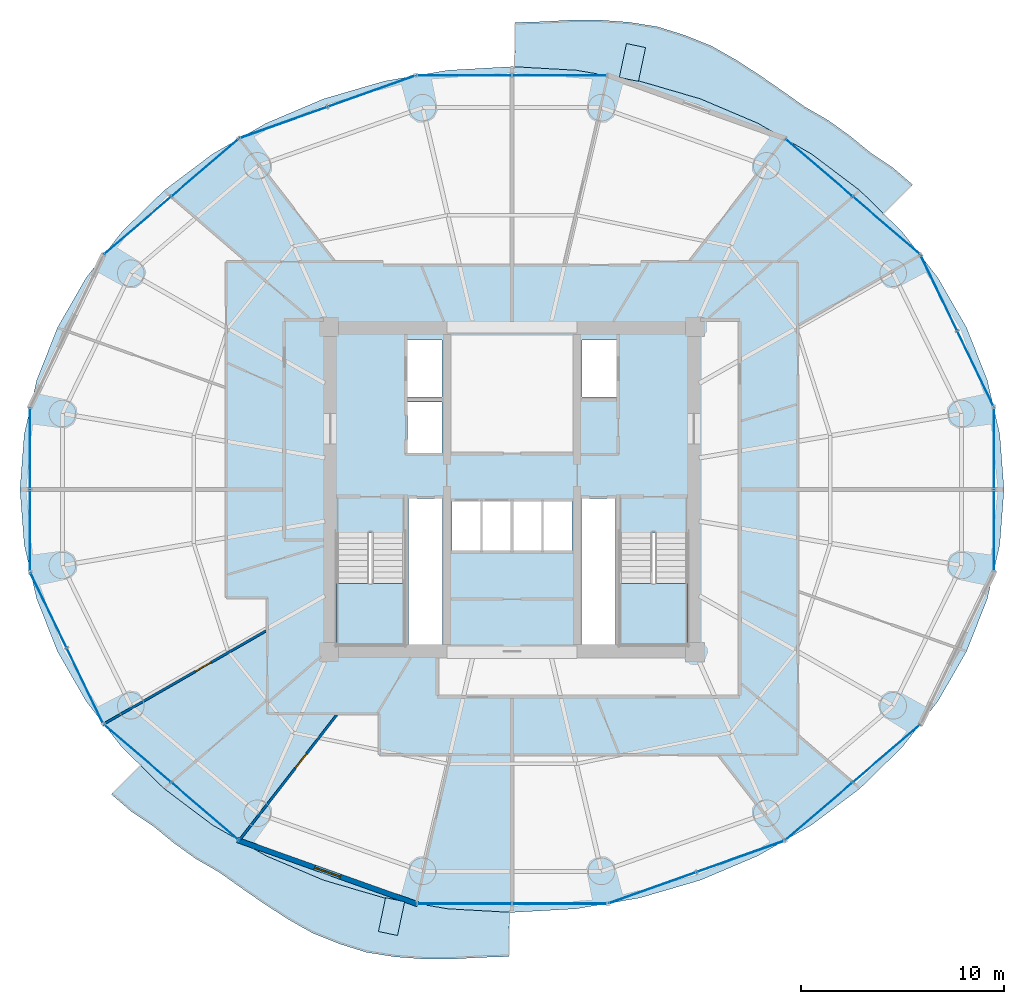
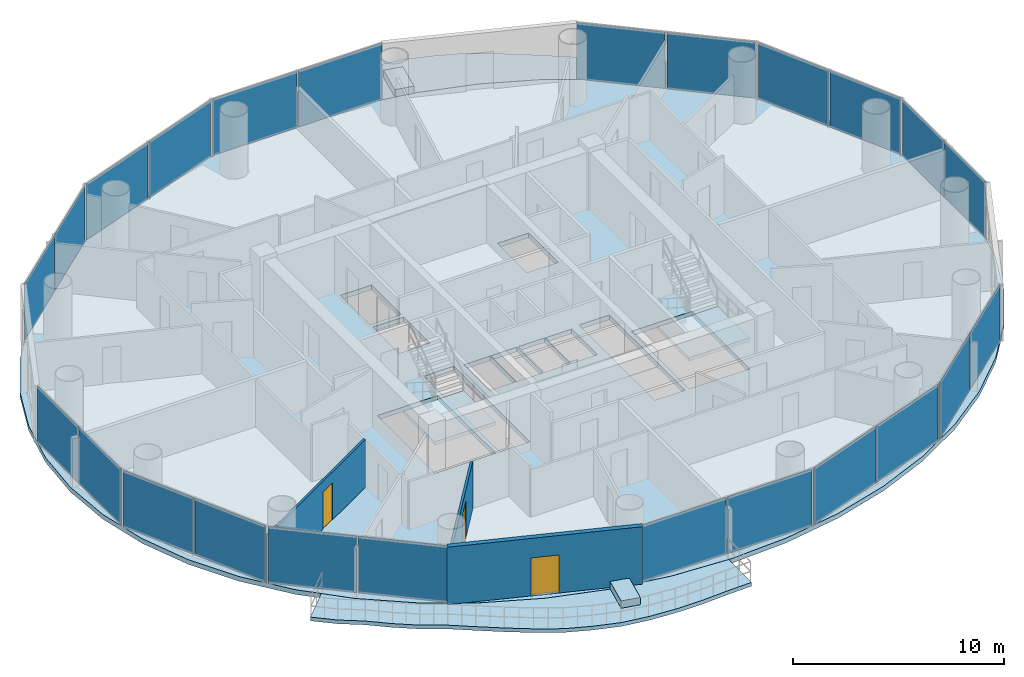
# One storey, part 20 of 27: 24 plates, 7 slabs, 3 doors, 3 walls, 3 openings, 14 elements without a shape of their own.
"""IFC4 building model written with IfcOpenShell, lengths in metres."""

from ifc_helpers import new_model, si_unit, direction, frame, frame_2d, origin, origin_2d, place, context, subcontext, project, spatial, polyline, rectangle, outline, extrude, source, transform, mapped, material, layer, layer_set, type_object, element, fill, aggregate, save


model = new_model("IFC4")

# Units and contexts
model_context = context("Model", 3, precision=1e-05, world=origin(), true_north=direction((-0.2419218956, 0.970295726276)))
body_context = subcontext(model_context, "Body", "Model", "MODEL_VIEW")
ifc_project = project(units=[si_unit("LENGTHUNIT", "METRE"), si_unit("AREAUNIT", "SQUARE_METRE"), si_unit("VOLUMEUNIT", "CUBIC_METRE"), si_unit("PLANEANGLEUNIT", "RADIAN"), si_unit("MASSUNIT", "GRAM", prefix="KILO")], contexts=[model_context])

# Site, building, storey
site_placement = place(None, origin())
site = spatial("IfcSite", under=ifc_project, at=site_placement, CompositionType="ELEMENT")
building_placement = place(site_placement, origin())
building = spatial("IfcBuilding", under=site, at=building_placement, Name="Cobrevalo Terracotta Tower", CompositionType="ELEMENT")
storey_placement = place(building_placement, frame((0.0, 0.0, 164.199951171875)))
storey = spatial("IfcBuildingStorey", under=building, at=storey_placement, Name="L43", CompositionType="ELEMENT", Elevation=164.199951171875)

# Stair, slab
ifc_material_1 = material(Name="Concrete C50", Category="concrete")
stair_type = type_object("IfcStairType", Name="Core protected escape dogleg stair 1600", PredefinedType="HALF_TURN_STAIR", material=ifc_material_1)
stair_1_placement = place(storey_placement, origin())
stair_1 = element("IfcStair", 1, at=stair_1_placement, inside=storey, type_object=stair_type, Name="L43 Protected exit stair ST-1", PredefinedType="HALF_TURN_STAIR")
ifc_layer_1 = layer(ifc_material_1, 0.199951171875)
ifc_layer_set_1 = layer_set([ifc_layer_1], Name="Concrete C50")
slab_type_1 = type_object("IfcSlabType", Name="Reinforced Concrete Stair Landing 200", PredefinedType="LANDING", material=ifc_layer_set_1)
slab_1_placement = place(storey_placement, frame((0.0, 0.0, 1.60009765625)))
slab_1 = element("IfcSlab", 2, at=slab_1_placement, type_object=slab_type_1, Name="ST-1 landing 1", PredefinedType="LANDING", context=body_context, shape_type="SweptSolid", body=[
    extrude(outline(polyline([(29.375, 22.179931640625), (29.375, 19.175048828125), (32.695068359375, 19.175048828125), (32.695068359375, 22.179931640625), (29.375, 22.179931640625)])), origin(), (0.0, 0.0, 1.0), 0.199951171875),
])
aggregate(stair_1, [slab_1])

stair_2_placement = place(storey_placement, origin())
stair_2 = element("IfcStair", 3, at=stair_2_placement, inside=storey, type_object=stair_type, Name="L43 Protected exit stair ST-2", PredefinedType="HALF_TURN_STAIR")
slab_2_placement = place(storey_placement, frame((0.0, 0.0, 1.60009765625)))
slab_2 = element("IfcSlab", 4, at=slab_2_placement, type_object=slab_type_1, Name="ST-2 landing 1", PredefinedType="LANDING", context=body_context, shape_type="SweptSolid", body=[
    extrude(outline(polyline([(43.304931640625, 22.179931640625), (43.304931640625, 19.175048828125), (46.625, 19.175048828125), (46.625, 22.179931640625), (43.304931640625, 22.179931640625)])), origin(), (0.0, 0.0, 1.0), 0.199951171875),
])
aggregate(stair_2, [slab_2])

# Slabs
ifc_material_2 = material(Name="Concrete C45", Category="concrete")
ifc_layer_2 = layer(ifc_material_2, 0.219970703125)
ifc_layer_set_2 = layer_set([ifc_layer_2], Name="Concrete C45")
slab_type_2 = type_object("IfcSlabType", Name="Spiralling cantilevered balcony lobe slab 220 mm", PredefinedType="FLOOR", material=ifc_layer_set_2)
slab_3_placement = place(storey_placement, frame((0.0, 0.0, -0.219970703125)))
element("IfcSlab", 5, at=slab_3_placement, inside=storey, type_object=slab_type_2, Name="L43 spiralling arc balcony slab lobe 1", PredefinedType="FLOOR", context=body_context, shape_type="SweptSolid", body=[
    extrude(outline(polyline([(57.705810546875, 41.789794921875), (56.72314453125, 42.63671875), (55.6337890625, 43.3642578125), (54.620849609375, 44.1943359375), (53.555908203125, 44.958984375), (52.404296875, 45.623291015625), (51.310302734375, 46.39794921875), (50.185791015625, 47.176513671875), (49.01953125, 47.931884765625), (47.802490234375, 48.622314453125), (46.49853515625, 49.144287109375), (45.157958984375, 49.564453125), (43.763916015625, 49.787109375), (42.353271484375, 49.890625), (40.943115234375, 49.894775390625), (39.53515625, 49.814453125), (38.142333984375, 49.773193359375), (38.132080078125, 47.594482421875), (41.158935546875, 47.424072265625), (44.263916015625, 46.893310546875), (47.26171875, 46.0185546875), (50.10107421875, 44.81494140625), (52.733154296875, 43.30322265625), (55.11328125, 41.50927734375), (56.283935546875, 40.362060546875), (57.705810546875, 41.789794921875)])), origin(), (0.0, 0.0, 1.0), 0.219970703125),
])
slab_4_placement = place(storey_placement, frame((0.0, 0.0, -0.219970703125)))
element("IfcSlab", 6, at=slab_4_placement, inside=storey, type_object=slab_type_2, Name="L43 spiralling arc balcony slab lobe 2", PredefinedType="FLOOR", context=body_context, shape_type="SweptSolid", body=[
    extrude(outline(polyline([(18.294189453125, 11.810302734375), (19.27685546875, 10.963134765625), (20.3662109375, 10.235595703125), (21.379150390625, 9.40576171875), (22.444091796875, 8.64111328125), (23.595703125, 7.9765625), (24.689697265625, 7.2021484375), (25.814208984375, 6.423583984375), (26.98046875, 5.66796875), (28.197509765625, 4.977783203125), (29.50146484375, 4.45556640625), (30.842041015625, 4.03564453125), (32.236083984375, 3.81298828125), (33.646728515625, 3.70947265625), (35.056884765625, 3.705078125), (36.46484375, 3.78564453125), (37.857666015625, 3.826904296875), (37.867919921875, 6.00537109375), (34.841064453125, 6.176025390625), (31.736083984375, 6.706787109375), (28.73828125, 7.58154296875), (25.89892578125, 8.784912109375), (23.266845703125, 10.296630859375), (20.88671875, 12.0908203125), (19.716064453125, 13.238037109375), (18.294189453125, 11.810302734375)])), origin(), (0.0, 0.0, 1.0), 0.219970703125),
])
ifc_material_3 = material(Name="Precast concrete C45", Category="concrete")
ifc_layer_3 = layer(ifc_material_3, 0.419921875)
ifc_layer_set_3 = layer_set([ifc_layer_3], Name="Precast concrete C45")
slab_type_3 = type_object("IfcSlabType", Name="Structural tree planter trough base 420 mm", PredefinedType="USERDEFINED", material=ifc_layer_set_3)
slab_5_placement = place(storey_placement, origin())
element("IfcSlab", 7, at=slab_5_placement, inside=storey, type_object=slab_type_3, Name="L43 structural tree planter trough 1", ObjectType="PLANTER", PredefinedType="USERDEFINED", context=body_context, shape_type="SweptSolid", body=[
    extrude(outline(polyline([(44.21923828125, 46.875), (44.5693359375, 48.53857421875), (43.630126953125, 48.736083984375), (43.27978515625, 47.072509765625), (44.21923828125, 46.875)])), origin(), (0.0, 0.0, 1.0), 0.420166015625),
])
slab_6_placement = place(storey_placement, origin())
element("IfcSlab", 8, at=slab_6_placement, inside=storey, type_object=slab_type_3, Name="L43 structural tree planter trough 2", ObjectType="PLANTER", PredefinedType="USERDEFINED", context=body_context, shape_type="SweptSolid", body=[
    extrude(outline(polyline([(31.78076171875, 6.72509765625), (31.4306640625, 5.0615234375), (32.369873046875, 4.86376953125), (32.72021484375, 6.52734375), (31.78076171875, 6.72509765625)])), origin(), (0.0, 0.0, 1.0), 0.420166015625),
])
ifc_layer_4 = layer(ifc_material_1, 0.27001953125)
ifc_layer_set_4 = layer_set([ifc_layer_4], Name="Concrete C50")
slab_type_4 = type_object("IfcSlabType", Name="Zone Z3 elliptical floor plate 270 mm", PredefinedType="FLOOR", material=ifc_layer_set_4)
slab_7_placement = place(storey_placement, frame((0.0, 0.0, -0.27001953125)))
element("IfcSlab", 9, at=slab_7_placement, inside=storey, type_object=slab_type_4, Name="L43 indoor elliptical floor slab", PredefinedType="FLOOR", context=body_context, shape_type="SweptSolid", body=[
    extrude(outline(polyline([(61.992919921875, 24.0849609375), (61.37548828125, 21.41650390625), (60.35791015625, 18.840087890625), (58.957763671875, 16.39990234375), (57.19921875, 14.1376953125), (55.112060546875, 12.09228515625), (52.73193359375, 10.29833984375), (50.10009765625, 8.78662109375), (47.260986328125, 7.583251953125), (44.263427734375, 6.708740234375), (41.15869140625, 6.177978515625), (38.0, 6.0), (34.84130859375, 6.177978515625), (31.736572265625, 6.708740234375), (28.739013671875, 7.583251953125), (25.89990234375, 8.78662109375), (23.26806640625, 10.29833984375), (20.887939453125, 12.09228515625), (18.80078125, 14.1376953125), (17.042236328125, 16.39990234375), (15.64208984375, 18.840087890625), (14.62451171875, 21.41650390625), (14.007080078125, 24.0849609375), (13.800048828125, 26.800048828125), (14.007080078125, 29.514892578125), (14.62451171875, 32.183349609375), (15.64208984375, 34.759765625), (17.042236328125, 37.199951171875), (18.80078125, 39.462158203125), (20.887939453125, 41.5078125), (23.26806640625, 43.3017578125), (25.89990234375, 44.813232421875), (28.739013671875, 46.0166015625), (31.736572265625, 46.891357421875), (34.84130859375, 47.422119140625), (38.0, 47.60009765625), (41.15869140625, 47.422119140625), (44.263427734375, 46.891357421875), (47.260986328125, 46.0166015625), (50.10009765625, 44.813232421875), (52.73193359375, 43.3017578125), (55.112060546875, 41.5078125), (57.19921875, 39.462158203125), (58.957763671875, 37.199951171875), (60.35791015625, 34.759765625), (61.37548828125, 32.183349609375), (61.992919921875, 29.514892578125), (62.199951171875, 26.800048828125), (61.992919921875, 24.0849609375)]), holes=[polyline([(32.695068359375, 19.175048828125), (32.695068359375, 24.659912109375), (29.375, 24.659912109375), (29.375, 19.175048828125), (32.695068359375, 19.175048828125)]), polyline([(34.574951171875, 26.360107421875), (32.919921875, 26.360107421875), (32.919921875, 19.175048828125), (34.574951171875, 19.175048828125), (34.574951171875, 26.360107421875)]), polyline([(36.47998046875, 26.25), (35.050048828125, 26.25), (35.050048828125, 23.800048828125), (36.47998046875, 23.800048828125), (36.47998046875, 26.25)]), polyline([(37.9599609375, 23.800048828125), (37.9599609375, 26.25), (36.530029296875, 26.25), (36.530029296875, 23.800048828125), (37.9599609375, 23.800048828125)]), polyline([(34.550048828125, 28.60009765625), (34.550048828125, 31.10009765625), (32.85009765625, 31.10009765625), (32.85009765625, 28.60009765625), (34.550048828125, 28.60009765625)]), polyline([(34.550048828125, 34.14990234375), (32.85009765625, 34.14990234375), (32.85009765625, 31.35009765625), (34.550048828125, 31.35009765625), (34.550048828125, 34.14990234375)]), polyline([(43.304931640625, 19.175048828125), (46.625, 19.175048828125), (46.625, 24.659912109375), (43.304931640625, 24.659912109375), (43.304931640625, 19.175048828125)]), polyline([(43.080078125, 19.175048828125), (43.080078125, 26.360107421875), (41.425048828125, 26.360107421875), (41.425048828125, 19.175048828125), (43.080078125, 19.175048828125)]), polyline([(39.469970703125, 26.25), (38.0400390625, 26.25), (38.0400390625, 23.800048828125), (39.469970703125, 23.800048828125), (39.469970703125, 26.25)]), polyline([(40.949951171875, 23.800048828125), (40.949951171875, 26.25), (39.52001953125, 26.25), (39.52001953125, 23.800048828125), (40.949951171875, 23.800048828125)]), polyline([(43.14990234375, 31.35009765625), (43.14990234375, 34.14990234375), (41.449951171875, 34.14990234375), (41.449951171875, 31.35009765625), (43.14990234375, 31.35009765625)])]), origin(), (0.0, 0.0, 1.0), 0.27001953125),
])

# Curtain wall, plates
ifc_material_4 = material(Name="Anodized aluminium", Category="aluminium")
curtain_wall_type = type_object("IfcCurtainWallType", Name="Mid-tower high-wind unitised curtain wall CW-U2", PredefinedType="NOTDEFINED", material=ifc_material_4)
curtain_wall_1_placement = place(storey_placement, origin())
curtain_wall_1 = element("IfcCurtainWall", 10, at=curtain_wall_1_placement, inside=storey, type_object=curtain_wall_type, Name="L43 curtain wall CW-L43-S02", PredefinedType="NOTDEFINED")
ifc_material_5 = material(Name="Solar-control low-E double glazing", Category="glass")
ifc_layer_5 = layer(ifc_material_5, 0.028076171875)
ifc_layer_set_5 = layer_set([ifc_layer_5], Name="Solar-control low-E double glazing")
plate_type = type_object("IfcPlateType", Name="Tower solar-control low-E vision glass panel 28 mm", PredefinedType="CURTAIN_PANEL", material=ifc_layer_set_5)
shared_shape_1 = source(origin(), body_context, "Body", "SweptSolid", [
    extrude(rectangle(XDim=4.276123046875, YDim=0.035888671875, at=origin_2d()), origin(), (0.0, 0.0, 1.0), 3.25),
])
plate_1_placement = place(storey_placement, frame((56.414306640625, 39.784912109375, 0.0400390625), z_axis=(0.0, 0.0, 1.0), x_axis=(-0.758436996112, 0.651746363955, 0.0)))
plate_1 = element("IfcPlate", 11, at=plate_1_placement, type_object=plate_type, Name="CW-L43-S02 glazing panel B01", PredefinedType="CURTAIN_PANEL", context=body_context, shape_type="MappedRepresentation", body=[
    mapped(shared_shape_1, transform((0.0, 0.0, 0.0), scale=1.0)),
])
plate_2_placement = place(storey_placement, frame((53.1103515625, 42.6240234375, 0.0400390625), z_axis=(0.0, 0.0, 1.0), x_axis=(-0.758436996112, 0.651746363955, 0.0)))
plate_2 = element("IfcPlate", 12, at=plate_2_placement, type_object=plate_type, Name="CW-L43-S02 glazing panel B02", PredefinedType="CURTAIN_PANEL", context=body_context, shape_type="MappedRepresentation", body=[
    mapped(shared_shape_1, transform((0.0, 0.0, 0.0), scale=1.0)),
])
aggregate(curtain_wall_1, [plate_1, plate_2])

curtain_wall_2_placement = place(storey_placement, origin())
curtain_wall_2 = element("IfcCurtainWall", 13, at=curtain_wall_2_placement, inside=storey, type_object=curtain_wall_type, Name="L43 curtain wall CW-L43-S06", PredefinedType="NOTDEFINED")
plate_3_placement = place(storey_placement, frame((22.8896484375, 42.6240234375, 0.0400390625), z_axis=(0.0, 0.0, 1.0), x_axis=(-0.758436996112, -0.651746363955, 0.0)))
plate_3 = element("IfcPlate", 14, at=plate_3_placement, type_object=plate_type, Name="CW-L43-S06 glazing panel B01", PredefinedType="CURTAIN_PANEL", context=body_context, shape_type="MappedRepresentation", body=[
    mapped(shared_shape_1, transform((0.0, 0.0, 0.0), scale=1.0)),
])
plate_4_placement = place(storey_placement, frame((19.585693359375, 39.784912109375, 0.0400390625), z_axis=(0.0, 0.0, 1.0), x_axis=(-0.758436996112, -0.651746363955, 0.0)))
plate_4 = element("IfcPlate", 15, at=plate_4_placement, type_object=plate_type, Name="CW-L43-S06 glazing panel B02", PredefinedType="CURTAIN_PANEL", context=body_context, shape_type="MappedRepresentation", body=[
    mapped(shared_shape_1, transform((0.0, 0.0, 0.0), scale=1.0)),
])
aggregate(curtain_wall_2, [plate_3, plate_4])

curtain_wall_3_placement = place(storey_placement, origin())
curtain_wall_3 = element("IfcCurtainWall", 16, at=curtain_wall_3_placement, inside=storey, type_object=curtain_wall_type, Name="L43 curtain wall CW-L43-S10", PredefinedType="NOTDEFINED")
plate_5_placement = place(storey_placement, frame((19.585693359375, 13.815185546875, 0.0400390625), z_axis=(0.0, 0.0, 1.0), x_axis=(0.758436996112, -0.651746363955, 0.0)))
plate_5 = element("IfcPlate", 17, at=plate_5_placement, type_object=plate_type, Name="CW-L43-S10 glazing panel B01", PredefinedType="CURTAIN_PANEL", context=body_context, shape_type="MappedRepresentation", body=[
    mapped(shared_shape_1, transform((0.0, 0.0, 0.0), scale=1.0)),
])
plate_6_placement = place(storey_placement, frame((22.8896484375, 10.97607421875, 0.0400390625), z_axis=(0.0, 0.0, 1.0), x_axis=(0.758436996112, -0.651746363955, 0.0)))
plate_6 = element("IfcPlate", 18, at=plate_6_placement, type_object=plate_type, Name="CW-L43-S10 glazing panel B02", PredefinedType="CURTAIN_PANEL", context=body_context, shape_type="MappedRepresentation", body=[
    mapped(shared_shape_1, transform((0.0, 0.0, 0.0), scale=1.0)),
])
aggregate(curtain_wall_3, [plate_5, plate_6])

curtain_wall_4_placement = place(storey_placement, origin())
curtain_wall_4 = element("IfcCurtainWall", 19, at=curtain_wall_4_placement, inside=storey, type_object=curtain_wall_type, Name="L43 curtain wall CW-L43-S14", PredefinedType="NOTDEFINED")
plate_7_placement = place(storey_placement, frame((53.1103515625, 10.97607421875, 0.0400390625), z_axis=(0.0, 0.0, 1.0), x_axis=(0.758436996112, 0.651746363955, 0.0)))
plate_7 = element("IfcPlate", 20, at=plate_7_placement, type_object=plate_type, Name="CW-L43-S14 glazing panel B01", PredefinedType="CURTAIN_PANEL", context=body_context, shape_type="MappedRepresentation", body=[
    mapped(shared_shape_1, transform((0.0, 0.0, 0.0), scale=1.0)),
])
plate_8_placement = place(storey_placement, frame((56.414306640625, 13.815185546875, 0.0400390625), z_axis=(0.0, 0.0, 1.0), x_axis=(0.758436996112, 0.651746363955, 0.0)))
plate_8 = element("IfcPlate", 21, at=plate_8_placement, type_object=plate_type, Name="CW-L43-S14 glazing panel B02", PredefinedType="CURTAIN_PANEL", context=body_context, shape_type="MappedRepresentation", body=[
    mapped(shared_shape_1, transform((0.0, 0.0, 0.0), scale=1.0)),
])
aggregate(curtain_wall_4, [plate_7, plate_8])

curtain_wall_5_placement = place(storey_placement, origin())
curtain_wall_5 = element("IfcCurtainWall", 22, at=curtain_wall_5_placement, inside=storey, type_object=curtain_wall_type, Name="L43 curtain wall CW-L43-S04", PredefinedType="NOTDEFINED")
shared_shape_2 = source(origin(), body_context, "Body", "SweptSolid", [
    extrude(rectangle(XDim=4.59521484375, YDim=0.035888671875, at=origin_2d()), origin(), (0.0, 0.0, 1.0), 3.25),
])
plate_9_placement = place(storey_placement, frame((40.337646484375, 47.1708984375, 0.0400390625), z_axis=(0.0, 0.0, 1.0), x_axis=(-1.0, 0.0, 0.0)))
plate_9 = element("IfcPlate", 23, at=plate_9_placement, type_object=plate_type, Name="CW-L43-S04 glazing panel B01", PredefinedType="CURTAIN_PANEL", context=body_context, shape_type="MappedRepresentation", body=[
    mapped(shared_shape_2, transform((0.0, 0.0, 0.0), scale=1.0)),
])
plate_10_placement = place(storey_placement, frame((35.662353515625, 47.1708984375, 0.0400390625), z_axis=(0.0, 0.0, 1.0), x_axis=(-1.0, 0.0, 0.0)))
plate_10 = element("IfcPlate", 24, at=plate_10_placement, type_object=plate_type, Name="CW-L43-S04 glazing panel B02", PredefinedType="CURTAIN_PANEL", context=body_context, shape_type="MappedRepresentation", body=[
    mapped(shared_shape_2, transform((0.0, 0.0, 0.0), scale=1.0)),
])
aggregate(curtain_wall_5, [plate_9, plate_10])

curtain_wall_6_placement = place(storey_placement, origin())
curtain_wall_6 = element("IfcCurtainWall", 25, at=curtain_wall_6_placement, inside=storey, type_object=curtain_wall_type, Name="L43 curtain wall CW-L43-S12", PredefinedType="NOTDEFINED")
plate_11_placement = place(storey_placement, frame((35.662353515625, 6.42919921875, 0.0400390625), z_axis=(0.0, 0.0, 1.0), x_axis=(1.0, 0.0, 0.0)))
plate_11 = element("IfcPlate", 26, at=plate_11_placement, type_object=plate_type, Name="CW-L43-S12 glazing panel B01", PredefinedType="CURTAIN_PANEL", context=body_context, shape_type="MappedRepresentation", body=[
    mapped(shared_shape_2, transform((0.0, 0.0, 0.0), scale=1.0)),
])
plate_12_placement = place(storey_placement, frame((40.337646484375, 6.42919921875, 0.0400390625), z_axis=(0.0, 0.0, 1.0), x_axis=(1.0, 0.0, 0.0)))
plate_12 = element("IfcPlate", 27, at=plate_12_placement, type_object=plate_type, Name="CW-L43-S12 glazing panel B02", PredefinedType="CURTAIN_PANEL", context=body_context, shape_type="MappedRepresentation", body=[
    mapped(shared_shape_2, transform((0.0, 0.0, 0.0), scale=1.0)),
])
aggregate(curtain_wall_6, [plate_11, plate_12])

curtain_wall_7_placement = place(storey_placement, origin())
curtain_wall_7 = element("IfcCurtainWall", 28, at=curtain_wall_7_placement, inside=storey, type_object=curtain_wall_type, Name="L43 curtain wall CW-L43-S01", PredefinedType="NOTDEFINED")
shared_shape_3 = source(origin(), body_context, "Body", "SweptSolid", [
    extrude(rectangle(XDim=4.035888671875, YDim=0.035888671875, at=origin_2d()), origin(), (0.0, 0.0, 1.0), 3.25),
])
plate_13_placement = place(storey_placement, frame((60.794677734375, 32.741943359375, 0.0400390625), z_axis=(0.0, 0.0, 1.0), x_axis=(-0.434209440271, 0.900811945957, 0.0)))
plate_13 = element("IfcPlate", 29, at=plate_13_placement, type_object=plate_type, Name="CW-L43-S01 glazing panel B01", PredefinedType="CURTAIN_PANEL", context=body_context, shape_type="MappedRepresentation", body=[
    mapped(shared_shape_3, transform((0.0, 0.0, 0.0), scale=1.0)),
])
plate_14_placement = place(storey_placement, frame((59.007568359375, 36.449462890625, 0.0400390625), z_axis=(0.0, 0.0, 1.0), x_axis=(-0.434209440271, 0.900811945957, 0.0)))
plate_14 = element("IfcPlate", 30, at=plate_14_placement, type_object=plate_type, Name="CW-L43-S01 glazing panel B02", PredefinedType="CURTAIN_PANEL", context=body_context, shape_type="MappedRepresentation", body=[
    mapped(shared_shape_3, transform((0.0, 0.0, 0.0), scale=1.0)),
])
aggregate(curtain_wall_7, [plate_13, plate_14])

curtain_wall_8_placement = place(storey_placement, origin())
curtain_wall_8 = element("IfcCurtainWall", 31, at=curtain_wall_8_placement, inside=storey, type_object=curtain_wall_type, Name="L43 curtain wall CW-L43-S09", PredefinedType="NOTDEFINED")
plate_15_placement = place(storey_placement, frame((15.205322265625, 20.858154296875, 0.0400390625), z_axis=(0.0, 0.0, 1.0), x_axis=(0.434209440271, -0.900811945957, 0.0)))
plate_15 = element("IfcPlate", 32, at=plate_15_placement, type_object=plate_type, Name="CW-L43-S09 glazing panel B01", PredefinedType="CURTAIN_PANEL", context=body_context, shape_type="MappedRepresentation", body=[
    mapped(shared_shape_3, transform((0.0, 0.0, 0.0), scale=1.0)),
])
plate_16_placement = place(storey_placement, frame((16.992431640625, 17.150634765625, 0.0400390625), z_axis=(0.0, 0.0, 1.0), x_axis=(0.434209440271, -0.900811945957, 0.0)))
plate_16 = element("IfcPlate", 33, at=plate_16_placement, type_object=plate_type, Name="CW-L43-S09 glazing panel B02", PredefinedType="CURTAIN_PANEL", context=body_context, shape_type="MappedRepresentation", body=[
    mapped(shared_shape_3, transform((0.0, 0.0, 0.0), scale=1.0)),
])
aggregate(curtain_wall_8, [plate_15, plate_16])

curtain_wall_9_placement = place(storey_placement, origin())
curtain_wall_9 = element("IfcCurtainWall", 34, at=curtain_wall_9_placement, inside=storey, type_object=curtain_wall_type, Name="L43 curtain wall CW-L43-S08", PredefinedType="NOTDEFINED")
shared_shape_4 = source(origin(), body_context, "Body", "SweptSolid", [
    extrude(rectangle(XDim=3.931884765625, YDim=0.035888671875, at=origin_2d()), origin(), (0.0, 0.0, 1.0), 3.25),
])
plate_17_placement = place(storey_placement, frame((14.29443359375, 28.805908203125, 0.0400390625), z_axis=(0.0, 0.0, 1.0), x_axis=(0.0, -1.0, 0.0)))
plate_17 = element("IfcPlate", 35, at=plate_17_placement, type_object=plate_type, Name="CW-L43-S08 glazing panel B01", PredefinedType="CURTAIN_PANEL", context=body_context, shape_type="MappedRepresentation", body=[
    mapped(shared_shape_4, transform((0.0, 0.0, 0.0), scale=1.0)),
])
plate_18_placement = place(storey_placement, frame((14.29443359375, 24.7939453125, 0.0400390625), z_axis=(0.0, 0.0, 1.0), x_axis=(0.0, -1.0, 0.0)))
plate_18 = element("IfcPlate", 36, at=plate_18_placement, type_object=plate_type, Name="CW-L43-S08 glazing panel B02", PredefinedType="CURTAIN_PANEL", context=body_context, shape_type="MappedRepresentation", body=[
    mapped(shared_shape_4, transform((0.0, 0.0, 0.0), scale=1.0)),
])
aggregate(curtain_wall_9, [plate_17, plate_18])

curtain_wall_10_placement = place(storey_placement, origin())
curtain_wall_10 = element("IfcCurtainWall", 37, at=curtain_wall_10_placement, inside=storey, type_object=curtain_wall_type, Name="L43 curtain wall CW-L43-S16", PredefinedType="NOTDEFINED")
plate_19_placement = place(storey_placement, frame((61.70556640625, 24.7939453125, 0.0400390625), z_axis=(0.0, 0.0, 1.0), x_axis=(0.0, 1.0, 0.0)))
plate_19 = element("IfcPlate", 38, at=plate_19_placement, type_object=plate_type, Name="CW-L43-S16 glazing panel B01", PredefinedType="CURTAIN_PANEL", context=body_context, shape_type="MappedRepresentation", body=[
    mapped(shared_shape_4, transform((0.0, 0.0, 0.0), scale=1.0)),
])
plate_20_placement = place(storey_placement, frame((61.70556640625, 28.805908203125, 0.0400390625), z_axis=(0.0, 0.0, 1.0), x_axis=(0.0, 1.0, 0.0)))
plate_20 = element("IfcPlate", 39, at=plate_20_placement, type_object=plate_type, Name="CW-L43-S16 glazing panel B02", PredefinedType="CURTAIN_PANEL", context=body_context, shape_type="MappedRepresentation", body=[
    mapped(shared_shape_4, transform((0.0, 0.0, 0.0), scale=1.0)),
])
aggregate(curtain_wall_10, [plate_19, plate_20])

curtain_wall_11_placement = place(storey_placement, origin())
curtain_wall_11 = element("IfcCurtainWall", 40, at=curtain_wall_11_placement, inside=storey, type_object=curtain_wall_type, Name="L43 curtain wall CW-L43-S05", PredefinedType="NOTDEFINED")
shared_shape_5 = source(origin(), body_context, "Body", "SweptSolid", [
    extrude(rectangle(XDim=4.504150390625, YDim=0.035888671875, at=origin_2d()), origin(), (0.0, 0.0, 1.0), 3.25),
])
plate_21_placement = place(storey_placement, frame((31.087646484375, 46.388916015625, 0.0400390625), z_axis=(0.0, 0.0, 1.0), x_axis=(-0.942098428897, -0.335336473217, 0.0)))
plate_21 = element("IfcPlate", 41, at=plate_21_placement, type_object=plate_type, Name="CW-L43-S05 glazing panel B01", PredefinedType="CURTAIN_PANEL", context=body_context, shape_type="MappedRepresentation", body=[
    mapped(shared_shape_5, transform((0.0, 0.0, 0.0), scale=1.0)),
])
plate_22_placement = place(storey_placement, frame((26.768798828125, 44.8515625, 0.0400390625), z_axis=(0.0, 0.0, 1.0), x_axis=(-0.942098428897, -0.335336473217, 0.0)))
plate_22 = element("IfcPlate", 42, at=plate_22_placement, type_object=plate_type, Name="CW-L43-S05 glazing panel B02", PredefinedType="CURTAIN_PANEL", context=body_context, shape_type="MappedRepresentation", body=[
    mapped(shared_shape_5, transform((0.0, 0.0, 0.0), scale=1.0)),
])
aggregate(curtain_wall_11, [plate_21, plate_22])

curtain_wall_12_placement = place(storey_placement, origin())
curtain_wall_12 = element("IfcCurtainWall", 43, at=curtain_wall_12_placement, inside=storey, type_object=curtain_wall_type, Name="L43 curtain wall CW-L43-S13", PredefinedType="NOTDEFINED")
plate_23_placement = place(storey_placement, frame((44.912353515625, 7.211181640625, 0.0400390625), z_axis=(0.0, 0.0, 1.0), x_axis=(0.942098428897, 0.335336473217, 0.0)))
plate_23 = element("IfcPlate", 44, at=plate_23_placement, type_object=plate_type, Name="CW-L43-S13 glazing panel B01", PredefinedType="CURTAIN_PANEL", context=body_context, shape_type="MappedRepresentation", body=[
    mapped(shared_shape_5, transform((0.0, 0.0, 0.0), scale=1.0)),
])
plate_24_placement = place(storey_placement, frame((49.231201171875, 8.748291015625, 0.0400390625), z_axis=(0.0, 0.0, 1.0), x_axis=(0.942098428897, 0.335336473217, 0.0)))
plate_24 = element("IfcPlate", 45, at=plate_24_placement, type_object=plate_type, Name="CW-L43-S13 glazing panel B02", PredefinedType="CURTAIN_PANEL", context=body_context, shape_type="MappedRepresentation", body=[
    mapped(shared_shape_5, transform((0.0, 0.0, 0.0), scale=1.0)),
])
aggregate(curtain_wall_12, [plate_23, plate_24])

# Wall, opening, door
ifc_material_6 = material(Name="Autoclaved aerated concrete block", Category="concrete")
ifc_layer_6 = layer(ifc_material_6, 0.260009765625)
ifc_layer_set_6 = layer_set([ifc_layer_6], Name="Autoclaved aerated concrete block")
wall_type_1 = type_object("IfcWallType", Name="Recessed balcony loggia insulated exterior wall 260 mm", PredefinedType="SOLIDWALL", material=ifc_layer_set_6)
wall_1_placement = place(storey_placement, frame((24.49658203125, 9.55712890625, 0.0), z_axis=(0.0, 0.0, 1.0), x_axis=(0.942103604331, -0.335321932934, 0.0)))
wall_1 = element("IfcWall", 46, at=wall_1_placement, inside=storey, type_object=wall_type_1, Name="L43 balcony loggia wall S11", PredefinedType="SOLIDWALL", context=body_context, shape_type="SweptSolid", body=[
    extrude(rectangle(XDim=9.408203125, YDim=0.260009765625, at=frame_2d((4.7041015625, 0.0))), origin(), (0.0, 0.0, 1.0), 3.330078125),
])
opening_1_placement = place(wall_1_placement, frame((4.029052734375, 0.0, 0.0)))
opening_1 = element("IfcOpeningElement", 47, at=opening_1_placement, cuts=wall_1, Name="Opening ED-05", PredefinedType="OPENING", context=body_context, shape_type="SweptSolid", body=[
    extrude(rectangle(XDim=1.35009765625, YDim=2.199951171875, at=frame_2d((0.675048828125, 1.10009765625))), frame((0.0, 0.14013671875, 0.0), z_axis=(0.0, -1.0, 0.0), x_axis=(1.0, 0.0, 0.0)), (0.0, 0.0, 1.0), 0.280029296875),
])
ifc_material_7 = material(Name="Anodized aluminium and laminated glass", Category="aluminium")
door_type_1 = type_object("IfcDoorType", Name="Suite balcony acoustic glazed terrace door 1350x2200", OperationType="NOTDEFINED", PredefinedType="DOOR", material=ifc_material_7)
shared_shape_6 = source(origin(), body_context, "Body", "SweptSolid", [
    extrude(rectangle(XDim=1.35009765625, YDim=2.199951171875, at=frame_2d((0.675048828125, 1.10009765625))), frame((0.0, 0.02490234375, 0.0), z_axis=(0.0, -1.0, 0.0), x_axis=(1.0, 0.0, 0.0)), (0.0, 0.0, 1.0), 0.050048828125),
])
door_1_placement = place(opening_1_placement, frame((1.35009765625, 0.0, 0.0), z_axis=(0.0, 0.0, 1.0), x_axis=(-1.0, 0.0, 0.0)))
door_1 = element("IfcDoor", 48, at=door_1_placement, inside=storey, type_object=door_type_1, Name="L43 glazed balcony terrace door 2", OperationType="SINGLE_SWING_RIGHT", OverallHeight=2.199951171875, OverallWidth=1.35009765625, PredefinedType="DOOR", context=body_context, shape_type="MappedRepresentation", body=[
    mapped(shared_shape_6, transform((0.0, 0.0, 0.0), scale=1.0)),
])
fill(opening_1, door_1)

ifc_material_8 = material(Name="Gypsum board on steel stud", Category="steel")
ifc_layer_7 = layer(ifc_material_8, 0.1201171875)
ifc_layer_set_7 = layer_set([ifc_layer_7], Name="Gypsum board on steel stud")
wall_type_2 = type_object("IfcWallType", Name="Residential internal acoustic stud partition 120 mm", PredefinedType="PARTITIONING", material=ifc_layer_set_7)
wall_2_placement = place(storey_placement, frame((25.9111328125, 19.857421875, 0.0), z_axis=(0.0, 0.0, 1.0), x_axis=(-0.867160939672, -0.498028015986, 0.0)))
wall_2 = element("IfcWall", 49, at=wall_2_placement, inside=storey, type_object=wall_type_2, Name="L43 interior partition IW-L43-U3-ORAD1", PredefinedType="PARTITIONING", context=body_context, shape_type="SweptSolid", body=[
    extrude(rectangle(XDim=9.15234375, YDim=0.1201171875, at=frame_2d((4.576171875, 0.0))), origin(), (0.0, 0.0, 1.0), 2.776123046875),
])
opening_2_placement = place(wall_2_placement, frame((3.1240234375, 0.0, 0.0)))
opening_2 = element("IfcOpeningElement", 50, at=opening_2_placement, cuts=wall_2, Name="Opening ID-12", PredefinedType="OPENING", context=body_context, shape_type="SweptSolid", body=[
    extrude(rectangle(XDim=0.89990234375, YDim=2.14990234375, at=frame_2d((0.449951171875, 1.074951171875))), frame((0.0, 0.070068359375, 0.0), z_axis=(0.0, -1.0, 0.0), x_axis=(1.0, 0.0, 0.0)), (0.0, 0.0, 1.0), 0.14013671875),
])
ifc_material_9 = material(Name="Engineered timber", Category="wood")
door_type_2 = type_object("IfcDoorType", Name="Internal residence & suite timber door 900x2150", OperationType="NOTDEFINED", PredefinedType="DOOR", material=ifc_material_9)
shared_shape_7 = source(origin(), body_context, "Body", "SweptSolid", [
    extrude(rectangle(XDim=0.89990234375, YDim=2.14990234375, at=frame_2d((0.449951171875, 1.074951171875))), frame((0.0, 0.02490234375, 0.0), z_axis=(0.0, -1.0, 0.0), x_axis=(1.0, 0.0, 0.0)), (0.0, 0.0, 1.0), 0.050048828125),
])
door_2_placement = place(opening_2_placement, frame((0.89990234375, 0.0, 0.0), z_axis=(0.0, 0.0, 1.0), x_axis=(-1.0, 0.0, 0.0)))
door_2 = element("IfcDoor", 51, at=door_2_placement, inside=storey, type_object=door_type_2, Name="Flat L43C Penthouse Living and Dining Room internal door", OperationType="SINGLE_SWING_RIGHT", OverallHeight=2.14990234375, OverallWidth=0.89990234375, PredefinedType="DOOR", context=body_context, shape_type="MappedRepresentation", body=[
    mapped(shared_shape_7, transform((0.0, 0.0, 0.0), scale=1.0)),
])
fill(opening_2, door_2)

wall_3_placement = place(storey_placement, frame((29.38330078125, 15.716064453125, 0.0), z_axis=(0.0, 0.0, 1.0), x_axis=(-0.613751061882, -0.789499609904, 0.0)))
wall_3 = element("IfcWall", 52, at=wall_3_placement, inside=storey, type_object=wall_type_2, Name="L43 interior partition IW-L43-U3-ORAD3M1", PredefinedType="PARTITIONING", context=body_context, shape_type="SweptSolid", body=[
    extrude(rectangle(XDim=7.75830078125, YDim=0.1201171875, at=frame_2d((3.879150390625, 0.0))), origin(), (0.0, 0.0, 1.0), 2.776123046875),
])
opening_3_placement = place(wall_3_placement, frame((2.42626953125, 0.0, 0.0)))
opening_3 = element("IfcOpeningElement", 53, at=opening_3_placement, cuts=wall_3, Name="Opening ID-12", PredefinedType="OPENING", context=body_context, shape_type="SweptSolid", body=[
    extrude(rectangle(XDim=0.89990234375, YDim=2.14990234375, at=frame_2d((0.449951171875, 1.074951171875))), frame((0.0, 0.070068359375, 0.0), z_axis=(0.0, -1.0, 0.0), x_axis=(1.0, 0.0, 0.0)), (0.0, 0.0, 1.0), 0.14013671875),
])
door_3_placement = place(opening_3_placement, frame((0.89990234375, 0.0, 0.0), z_axis=(0.0, 0.0, 1.0), x_axis=(-1.0, 0.0, 0.0)))
door_3 = element("IfcDoor", 54, at=door_3_placement, inside=storey, type_object=door_type_2, Name="Flat L43C Principal Guest Bedroom internal door", OperationType="SINGLE_SWING_RIGHT", OverallHeight=2.14990234375, OverallWidth=0.89990234375, PredefinedType="DOOR", context=body_context, shape_type="MappedRepresentation", body=[
    mapped(shared_shape_7, transform((0.0, 0.0, 0.0), scale=1.0)),
])
fill(opening_3, door_3)

save(model, "model.ifc")
